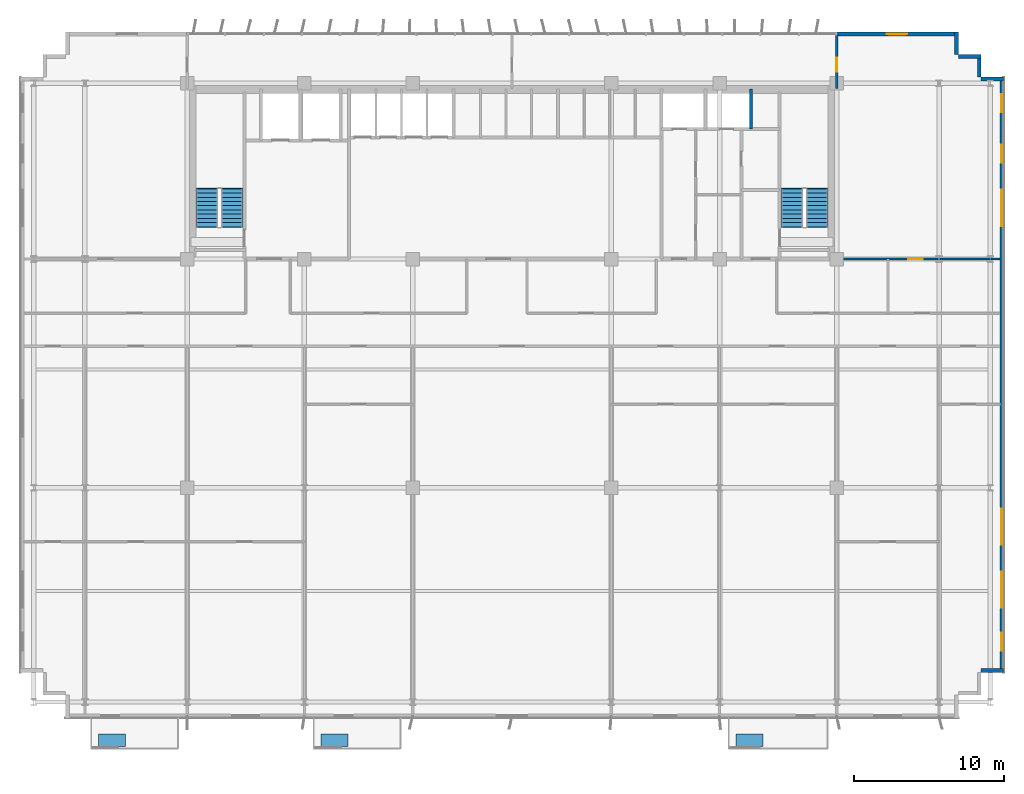
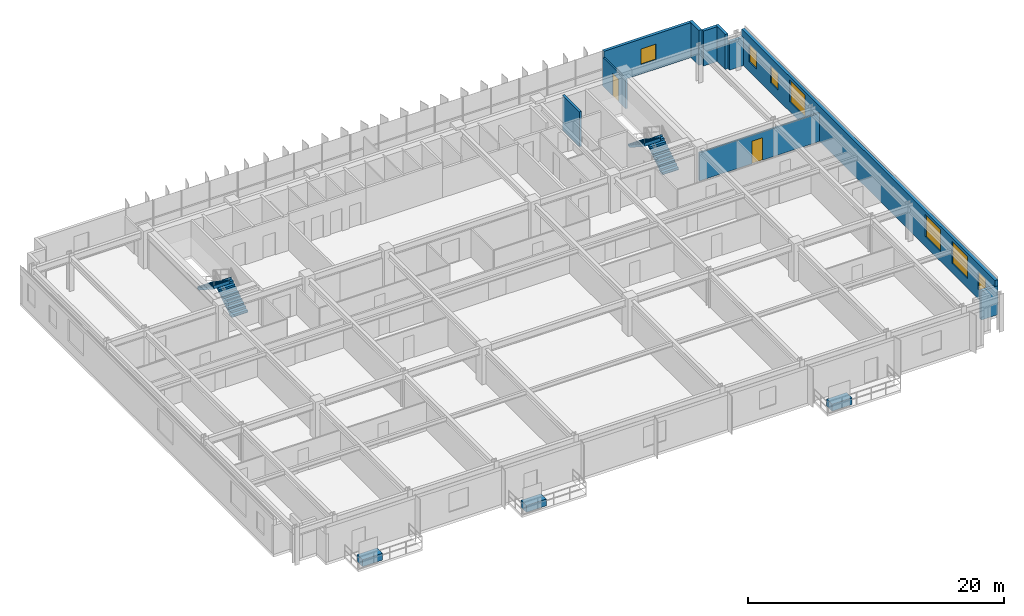
# One storey, part 18 of 21: 10 walls, 7 windows, 4 stair flights, 3 discrete accessories, 2 doors, 9 openings, 2 elements without a shape of their own.
"""IFC4 building model written with IfcOpenShell, lengths in metres."""

from ifc_helpers import new_model, si_unit, direction, frame, frame_2d, origin, origin_2d, place, context, subcontext, project, spatial, polyline, rectangle, outline, extrude, source, transform, mapped, material, layer, layer_set, type_object, element, fill, aggregate, save


model = new_model("IFC4")

# Units and contexts
model_context = context("Model", 3, precision=1e-05, world=origin(), true_north=direction((0.0, 1.0)))
body_context = subcontext(model_context, "Body", "Model", "MODEL_VIEW")
ifc_project = project(units=[si_unit("LENGTHUNIT", "METRE"), si_unit("AREAUNIT", "SQUARE_METRE"), si_unit("VOLUMEUNIT", "CUBIC_METRE"), si_unit("PLANEANGLEUNIT", "RADIAN"), si_unit("MASSUNIT", "GRAM", prefix="KILO")], contexts=[model_context])

# Site, building, storey
site_placement = place(None, origin())
site = spatial("IfcSite", under=ifc_project, at=site_placement, CompositionType="ELEMENT")
building_placement = place(site_placement, origin())
building = spatial("IfcBuilding", under=site, at=building_placement, Name="Trelvane Seafront Commons", CompositionType="ELEMENT")
storey_placement = place(building_placement, frame((0.0, 0.0, 37.89990234375)))
storey = spatial("IfcBuildingStorey", under=building, at=storey_placement, Name="L09", CompositionType="ELEMENT", Elevation=37.89990234375)

# Wall, opening, window
ifc_material_1 = material(Name="Precast concrete C40/50", Category="concrete")
ifc_layer_1 = layer(ifc_material_1, 0.260009765625, Name="ARCH-WALL-EXT260")
ifc_layer_set_1 = layer_set([ifc_layer_1], Name="Precast concrete C40/50")
wall_type_1 = type_object("IfcWallType", Name="ARCH-WALL-EXT260", PredefinedType="SOLIDWALL", material=ifc_layer_set_1)
wall_1_placement = place(storey_placement, frame((58.800048828125, 48.3701171875, 0.0), z_axis=(0.0, 0.0, 1.0), x_axis=(1.0, 0.0, 0.0)))
wall_1 = element("IfcWall", 1, at=wall_1_placement, inside=storey, type_object=wall_type_1, Name="EW-L09-NE-0130", PredefinedType="SOLIDWALL", context=body_context, shape_type="SweptSolid", body=[
    extrude(rectangle(XDim=8.0, YDim=0.260009765625, at=frame_2d((4.0, 0.0))), origin(), (0.0, 0.0, 1.0), 3.340087890625),
])
opening_1_placement = place(wall_1_placement, frame((3.324951171875, 0.0, 0.89990234375)))
opening_1 = element("IfcOpeningElement", 2, at=opening_1_placement, cuts=wall_1, Name="Opening W09", PredefinedType="OPENING", context=body_context, shape_type="SweptSolid", body=[
    extrude(rectangle(XDim=1.35009765625, YDim=1.5, at=frame_2d((0.675048828125, 0.75))), frame((0.0, 0.139892578125, 0.0), z_axis=(0.0, -1.0, 0.0), x_axis=(1.0, 0.0, 0.0)), (0.0, 0.0, 1.0), 0.280029296875),
])
ifc_material_2 = material(Name="Low-E coastal double glazing", Category="glass")
window_type_1 = type_object("IfcWindowType", Name="ARCH-WIN-W09", PartitioningType="SINGLE_PANEL", PredefinedType="WINDOW", material=ifc_material_2)
shared_shape_1 = source(origin(), body_context, "Body", "SweptSolid", [
    extrude(rectangle(XDim=1.35009765625, YDim=1.5, at=frame_2d((0.675048828125, 0.75))), frame((0.0, 0.030029296875, 0.0), z_axis=(0.0, -1.0, 0.0), x_axis=(1.0, 0.0, 0.0)), (0.0, 0.0, 1.0), 0.06005859375),
])
window_1_placement = place(opening_1_placement, origin())
window_1 = element("IfcWindow", 3, at=window_1_placement, inside=storey, type_object=window_type_1, Name="WIN-L09-00175", OverallHeight=1.5, OverallWidth=1.35009765625, PartitioningType="SINGLE_PANEL", PredefinedType="WINDOW", context=body_context, shape_type="MappedRepresentation", body=[
    mapped(shared_shape_1, transform((0.0, 0.0, 0.0), x_axis=(1.0, 0.0, 0.0), y_axis=(0.0, 1.0, 0.0), z_axis=(0.0, 0.0, 1.0), scale=1.0)),
])
fill(opening_1, window_1)

# Walls
for number, where, z_axis, x_axis, name in (
    (4, (66.77001953125, 48.5, 0.0), (0.0, 0.0, 1.0), (0.0, -1.0, 0.0), "EW-L09-00139"),
    (5, (66.89990234375, 46.8701171875, 0.0), (0.0, 0.0, 1.0), (1.0, 0.0, 0.0), "EW-L09-00140"),
    (6, (68.27001953125, 47.0, 0.0), (0.0, 0.0, 1.0), (0.0, -1.0, 0.0), "EW-L09-00141"),
):
    element("IfcWall", number, at=place(storey_placement, frame(where, z_axis=z_axis, x_axis=x_axis)), inside=storey, type_object=wall_type_1, Name=name, PredefinedType="SOLIDWALL", context=body_context, shape_type="SweptSolid", body=[
        extrude(rectangle(XDim=1.5, YDim=0.260009765625, at=frame_2d((0.75, 0.0))), origin(), (0.0, 0.0, 1.0), 3.340087890625),
    ])
wall_2_placement = place(storey_placement, frame((68.39990234375, 45.3701171875, 0.0), z_axis=(0.0, 0.0, 1.0), x_axis=(1.0, 0.0, 0.0)))
element("IfcWall", 7, at=wall_2_placement, inside=storey, type_object=wall_type_1, Name="EW-L09-00142", PredefinedType="SOLIDWALL", context=body_context, shape_type="SweptSolid", body=[
    extrude(rectangle(XDim=1.5, YDim=0.260009765625, at=frame_2d((0.75, 0.0))), origin(), (0.0, 0.0, 1.0), 2.690185546875),
])

# Wall, openings, windows
wall_3_placement = place(storey_placement, frame((69.77001953125, 45.5, 0.0), z_axis=(0.0, 0.0, 1.0), x_axis=(0.0, -1.0, 0.0)))
wall_3 = element("IfcWall", 8, at=wall_3_placement, inside=storey, type_object=wall_type_1, Name="EW-L09-00143", PredefinedType="SOLIDWALL", context=body_context, shape_type="SweptSolid", body=[
    extrude(rectangle(XDim=39.60009765625, YDim=0.260009765625, at=frame_2d((19.800048828125, 0.0))), origin(), (0.0, 0.0, 1.0), 3.340087890625),
])
opening_2_placement = place(wall_3_placement, frame((36.949951171875, 0.0, 0.919921875)))
opening_2 = element("IfcOpeningElement", 9, at=opening_2_placement, cuts=wall_3, Name="Opening W05", PredefinedType="OPENING", context=body_context, shape_type="SweptSolid", body=[
    extrude(rectangle(XDim=1.199951171875, YDim=1.64990234375, at=frame_2d((0.60009765625, 0.824951171875))), frame((0.0, 0.139892578125, 0.0), z_axis=(0.0, -1.0, 0.0), x_axis=(1.0, 0.0, 0.0)), (0.0, 0.0, 1.0), 0.280029296875),
])
opening_3_placement = place(wall_3_placement, frame((32.89990234375, 0.0, 0.919921875)))
opening_3 = element("IfcOpeningElement", 10, at=opening_3_placement, cuts=wall_3, Name="Opening W08", PredefinedType="OPENING", context=body_context, shape_type="SweptSolid", body=[
    extrude(rectangle(XDim=2.39990234375, YDim=2.10009765625, at=frame_2d((1.199951171875, 1.050048828125))), frame((0.0, 0.139892578125, 0.0), z_axis=(0.0, -1.0, 0.0), x_axis=(1.0, 0.0, 0.0)), (0.0, 0.0, 1.0), 0.280029296875),
])
opening_4_placement = place(wall_3_placement, frame((28.699951171875, 0.0, 0.919921875)))
opening_4 = element("IfcOpeningElement", 11, at=opening_4_placement, cuts=wall_3, Name="Opening W08", PredefinedType="OPENING", context=body_context, shape_type="SweptSolid", body=[
    extrude(rectangle(XDim=2.39990234375, YDim=2.10009765625, at=frame_2d((1.199951171875, 1.050048828125))), frame((0.0, 0.139892578125, 0.0), z_axis=(0.0, -1.0, 0.0), x_axis=(1.0, 0.0, 0.0)), (0.0, 0.0, 1.0), 0.280029296875),
])
opening_5_placement = place(wall_3_placement, frame((7.5, 0.0, 0.919921875)))
opening_5 = element("IfcOpeningElement", 12, at=opening_5_placement, cuts=wall_3, Name="Opening W08", PredefinedType="OPENING", context=body_context, shape_type="SweptSolid", body=[
    extrude(rectangle(XDim=2.39990234375, YDim=2.10009765625, at=frame_2d((1.199951171875, 1.050048828125))), frame((0.0, 0.139892578125, 0.0), z_axis=(0.0, -1.0, 0.0), x_axis=(1.0, 0.0, 0.0)), (0.0, 0.0, 1.0), 0.280029296875),
])
opening_6_placement = place(wall_3_placement, frame((4.5, 0.0, 0.919921875)))
opening_6 = element("IfcOpeningElement", 13, at=opening_6_placement, cuts=wall_3, Name="Opening W05", PredefinedType="OPENING", context=body_context, shape_type="SweptSolid", body=[
    extrude(rectangle(XDim=1.199951171875, YDim=1.64990234375, at=frame_2d((0.60009765625, 0.824951171875))), frame((0.0, 0.139892578125, 0.0), z_axis=(0.0, -1.0, 0.0), x_axis=(1.0, 0.0, 0.0)), (0.0, 0.0, 1.0), 0.280029296875),
])
opening_7_placement = place(wall_3_placement, frame((1.14990234375, 0.0, 0.919921875)))
opening_7 = element("IfcOpeningElement", 14, at=opening_7_placement, cuts=wall_3, Name="Opening W05", PredefinedType="OPENING", context=body_context, shape_type="SweptSolid", body=[
    extrude(rectangle(XDim=1.199951171875, YDim=1.64990234375, at=frame_2d((0.60009765625, 0.824951171875))), frame((0.0, 0.139892578125, 0.0), z_axis=(0.0, -1.0, 0.0), x_axis=(1.0, 0.0, 0.0)), (0.0, 0.0, 1.0), 0.280029296875),
])
window_type_2 = type_object("IfcWindowType", Name="ARCH-WIN-W08", PartitioningType="SINGLE_PANEL", PredefinedType="WINDOW", material=ifc_material_2)
shared_shape_2 = source(origin(), body_context, "Body", "SweptSolid", [
    extrude(rectangle(XDim=2.39990234375, YDim=2.10009765625, at=frame_2d((1.199951171875, 1.050048828125))), frame((0.0, 0.030029296875, 0.0), z_axis=(0.0, -1.0, 0.0), x_axis=(1.0, 0.0, 0.0)), (0.0, 0.0, 1.0), 0.06005859375),
])
window_2_placement = place(opening_3_placement, origin())
window_2 = element("IfcWindow", 15, at=window_2_placement, inside=storey, type_object=window_type_2, Name="WIN-L09-EW-00183", OverallHeight=2.10009765625, OverallWidth=2.39990234375, PartitioningType="SINGLE_PANEL", PredefinedType="WINDOW", context=body_context, shape_type="MappedRepresentation", body=[
    mapped(shared_shape_2, transform((0.0, 0.0, 0.0), x_axis=(1.0, 0.0, 0.0), y_axis=(0.0, 1.0, 0.0), z_axis=(0.0, 0.0, 1.0), scale=1.0)),
])
fill(opening_3, window_2)
window_3_placement = place(opening_4_placement, origin())
window_3 = element("IfcWindow", 16, at=window_3_placement, inside=storey, type_object=window_type_2, Name="WIN-L09-EW-00184", OverallHeight=2.10009765625, OverallWidth=2.39990234375, PartitioningType="SINGLE_PANEL", PredefinedType="WINDOW", context=body_context, shape_type="MappedRepresentation", body=[
    mapped(shared_shape_2, transform((0.0, 0.0, 0.0), x_axis=(1.0, 0.0, 0.0), y_axis=(0.0, 1.0, 0.0), z_axis=(0.0, 0.0, 1.0), scale=1.0)),
])
fill(opening_4, window_3)
window_4_placement = place(opening_5_placement, origin())
window_4 = element("IfcWindow", 17, at=window_4_placement, inside=storey, type_object=window_type_2, Name="WIN-L09-EW-00185", OverallHeight=2.10009765625, OverallWidth=2.39990234375, PartitioningType="SINGLE_PANEL", PredefinedType="WINDOW", context=body_context, shape_type="MappedRepresentation", body=[
    mapped(shared_shape_2, transform((0.0, 0.0, 0.0), x_axis=(1.0, 0.0, 0.0), y_axis=(0.0, 1.0, 0.0), z_axis=(0.0, 0.0, 1.0), scale=1.0)),
])
fill(opening_5, window_4)
window_type_3 = type_object("IfcWindowType", Name="ARCH-WIN-W05", PartitioningType="SINGLE_PANEL", PredefinedType="WINDOW", material=ifc_material_2)
shared_shape_3 = source(origin(), body_context, "Body", "SweptSolid", [
    extrude(rectangle(XDim=1.199951171875, YDim=1.64990234375, at=frame_2d((0.60009765625, 0.824951171875))), frame((0.0, 0.030029296875, 0.0), z_axis=(0.0, -1.0, 0.0), x_axis=(1.0, 0.0, 0.0)), (0.0, 0.0, 1.0), 0.06005859375),
])
window_5_placement = place(opening_2_placement, origin())
window_5 = element("IfcWindow", 18, at=window_5_placement, inside=storey, type_object=window_type_3, Name="WIN-L09-EW-00182", OverallHeight=1.64990234375, OverallWidth=1.199951171875, PartitioningType="SINGLE_PANEL", PredefinedType="WINDOW", context=body_context, shape_type="MappedRepresentation", body=[
    mapped(shared_shape_3, transform((0.0, 0.0, 0.0), x_axis=(1.0, 0.0, 0.0), y_axis=(0.0, 1.0, 0.0), z_axis=(0.0, 0.0, 1.0), scale=1.0)),
])
fill(opening_2, window_5)
window_6_placement = place(opening_6_placement, origin())
window_6 = element("IfcWindow", 19, at=window_6_placement, inside=storey, type_object=window_type_3, Name="WIN-L09-EW-00186", OverallHeight=1.64990234375, OverallWidth=1.199951171875, PartitioningType="SINGLE_PANEL", PredefinedType="WINDOW", context=body_context, shape_type="MappedRepresentation", body=[
    mapped(shared_shape_3, transform((0.0, 0.0, 0.0), x_axis=(1.0, 0.0, 0.0), y_axis=(0.0, 1.0, 0.0), z_axis=(0.0, 0.0, 1.0), scale=1.0)),
])
fill(opening_6, window_6)
window_7_placement = place(opening_7_placement, origin())
window_7 = element("IfcWindow", 20, at=window_7_placement, inside=storey, type_object=window_type_3, Name="WIN-L09-EW-00187", OverallHeight=1.64990234375, OverallWidth=1.199951171875, PartitioningType="SINGLE_PANEL", PredefinedType="WINDOW", context=body_context, shape_type="MappedRepresentation", body=[
    mapped(shared_shape_3, transform((0.0, 0.0, 0.0), x_axis=(1.0, 0.0, 0.0), y_axis=(0.0, 1.0, 0.0), z_axis=(0.0, 0.0, 1.0), scale=1.0)),
])
fill(opening_7, window_7)

# Wall
wall_4_placement = place(storey_placement, frame((69.89990234375, 6.030029296875, 0.0), z_axis=(0.0, 0.0, 1.0), x_axis=(-1.0, 0.0, 0.0)))
element("IfcWall", 21, at=wall_4_placement, inside=storey, type_object=wall_type_1, Name="EW-L09-00144", PredefinedType="SOLIDWALL", context=body_context, shape_type="SweptSolid", body=[
    extrude(rectangle(XDim=1.5, YDim=0.260009765625, at=frame_2d((0.75, 0.0))), origin(), (0.0, 0.0, 1.0), 2.752197265625),
])

# Wall, opening, door
ifc_material_3 = material(Name="Gypsum Drywall Acoustic Partition")
ifc_layer_2 = layer(ifc_material_3, 0.14990234375, Name="ARCH-WALL-PART150")
ifc_layer_set_2 = layer_set([ifc_layer_2], Name="Gypsum Drywall Acoustic Partition")
wall_type_2 = type_object("IfcWallType", Name="ARCH-WALL-PART150", PredefinedType="PARTITIONING", material=ifc_layer_set_2)
wall_5_placement = place(storey_placement, frame((58.800048828125, 33.39990234375, 0.0), z_axis=(0.0, 0.0, 1.0), x_axis=(1.0, 0.0, 0.0)))
wall_5 = element("IfcWall", 22, at=wall_5_placement, inside=storey, type_object=wall_type_2, Name="W-L09-NE-ENT-050", PredefinedType="PARTITIONING", context=body_context, shape_type="SweptSolid", body=[
    extrude(rectangle(XDim=10.849853515625, YDim=0.14990234375, at=frame_2d((5.4248046875, 0.0))), origin(), (0.0, 0.0, 1.0), 2.690185546875),
])
opening_8_placement = place(wall_5_placement, frame((4.760009765625, 0.0, 0.0)))
opening_8 = element("IfcOpeningElement", 23, at=opening_8_placement, cuts=wall_5, Name="Opening FD-L09-24", PredefinedType="OPENING", context=body_context, shape_type="SweptSolid", body=[
    extrude(rectangle(XDim=0.949951171875, YDim=2.14990234375, at=frame_2d((0.47509765625, 1.074951171875))), frame((0.0, 0.0849609375, 0.0), z_axis=(0.0, -1.0, 0.0), x_axis=(1.0, 0.0, 0.0)), (0.0, 0.0, 1.0), 0.169921875),
])
ifc_material_4 = material(Name="Powder-coated aluminium frame", Category="aluminium")
door_type = type_object("IfcDoorType", Name="ARCH-DR-FD60-950", OperationType="NOTDEFINED", PredefinedType="DOOR", material=ifc_material_4)
shared_shape_4 = source(origin(), body_context, "Body", "SweptSolid", [
    extrude(rectangle(XDim=0.949951171875, YDim=2.14990234375, at=frame_2d((0.47509765625, 1.074951171875))), frame((0.0, 0.02490234375, 0.0), z_axis=(0.0, -1.0, 0.0), x_axis=(1.0, 0.0, 0.0)), (0.0, 0.0, 1.0), 0.050048828125),
])
door_1_placement = place(opening_8_placement, origin())
door_1 = element("IfcDoor", 24, at=door_1_placement, inside=storey, type_object=door_type, Name="L09 NE Suite Entrance Door", OperationType="SINGLE_SWING_RIGHT", OverallHeight=2.14990234375, OverallWidth=0.949951171875, PredefinedType="DOOR", context=body_context, shape_type="MappedRepresentation", body=[
    mapped(shared_shape_4, transform((0.0, 0.0, 0.0), x_axis=(1.0, 0.0, 0.0), y_axis=(0.0, 1.0, 0.0), z_axis=(0.0, 0.0, 1.0), scale=1.0)),
])
fill(opening_8, door_1)

wall_6_placement = place(storey_placement, frame((58.800048828125, 44.75, 0.0), z_axis=(0.0, 0.0, 1.0), x_axis=(0.0, 1.0, 0.0)))
wall_6 = element("IfcWall", 25, at=wall_6_placement, inside=storey, type_object=wall_type_2, Name="W-L09-N-LINK-E-053", PredefinedType="PARTITIONING", context=body_context, shape_type="SweptSolid", body=[
    extrude(rectangle(XDim=3.610107421875, YDim=0.14990234375, at=frame_2d((1.80517578125, 0.0))), origin(), (0.0, 0.0, 1.0), 2.752197265625),
])
opening_9_placement = place(wall_6_placement, frame((1.10009765625, 0.0, 0.0)))
opening_9 = element("IfcOpeningElement", 26, at=opening_9_placement, cuts=wall_6, Name="Opening FD-L09-27", PredefinedType="OPENING", context=body_context, shape_type="SweptSolid", body=[
    extrude(rectangle(XDim=0.949951171875, YDim=2.14990234375, at=frame_2d((0.47509765625, 1.074951171875))), frame((0.0, 0.0849609375, 0.0), z_axis=(0.0, -1.0, 0.0), x_axis=(1.0, 0.0, 0.0)), (0.0, 0.0, 1.0), 0.169921875),
])
door_2_placement = place(opening_9_placement, origin())
door_2 = element("IfcDoor", 27, at=door_2_placement, inside=storey, type_object=door_type, Name="L09 Door 27", OperationType="SINGLE_SWING_LEFT", OverallHeight=2.14990234375, OverallWidth=0.949951171875, PredefinedType="DOOR", context=body_context, shape_type="MappedRepresentation", body=[
    mapped(shared_shape_4, transform((0.0, 0.0, 0.0), x_axis=(1.0, 0.0, 0.0), y_axis=(0.0, 1.0, 0.0), z_axis=(0.0, 0.0, 1.0), scale=1.0)),
])
fill(opening_9, door_2)

# Wall
ifc_material_5 = material(Name="Concrete C40/50", Category="concrete")
ifc_layer_3 = layer(ifc_material_5, 0.199951171875, Name="ARCH-WALL-SHAFT200")
ifc_layer_set_3 = layer_set([ifc_layer_3], Name="Concrete C40/50")
wall_type_3 = type_object("IfcWallType", Name="ARCH-WALL-SHAFT200", PredefinedType="SOLIDWALL", material=ifc_layer_set_3)
wall_7_placement = place(storey_placement, frame((53.10009765625, 42.050048828125, 0.0), z_axis=(0.0, 0.0, 1.0), x_axis=(0.0, 1.0, 0.0)))
element("IfcWall", 28, at=wall_7_placement, inside=storey, type_object=wall_type_3, Name="W-L09-RSR-E-032", PredefinedType="SOLIDWALL", context=body_context, shape_type="SweptSolid", body=[
    extrude(rectangle(XDim=2.64990234375, YDim=0.199951171875, at=frame_2d((1.324951171875, 0.0))), origin(), (0.0, 0.0, 1.0), 3.340087890625),
])

# Stair, stair flights
stair_type_1 = type_object("IfcStairType", Name="ARCH-STR-ST-1-R20-180", PredefinedType="HALF_TURN_STAIR", material=ifc_material_5)
stair_1_placement = place(storey_placement, origin())
stair_1 = element("IfcStair", 29, at=stair_1_placement, inside=storey, type_object=stair_type_1, Name="L09 West Protected Firefighting Exit Stair ST-1", PredefinedType="HALF_TURN_STAIR")
stair_flight_type_1 = type_object("IfcStairFlightType", Name="ARCH-FLG-ST-1-R20-180", PredefinedType="STRAIGHT", material=ifc_material_5)
shared_shape_5 = source(origin(), body_context, "Body", "SweptSolid", [
    extrude(outline(polyline([(-0.050048828125, -0.02001953125), (-0.050048828125, 0.0), (0.0, 0.0), (0.0, 0.179931640625), (0.280029296875, 0.179931640625), (0.280029296875, 0.360107421875), (0.56005859375, 0.360107421875), (0.56005859375, 0.5400390625), (0.840087890625, 0.5400390625), (0.840087890625, 0.719970703125), (1.1201171875, 0.719970703125), (1.1201171875, 0.89990234375), (1.39990234375, 0.89990234375), (1.39990234375, 1.080078125), (1.679931640625, 1.080078125), (1.679931640625, 1.260009765625), (1.9599609375, 1.260009765625), (1.9599609375, 1.43994140625), (2.239990234375, 1.43994140625), (2.239990234375, 1.6201171875), (2.52001953125, 1.6201171875), (2.52001953125, 1.800048828125), (2.570068359375, 1.800048828125), (2.570068359375, 1.650146484375), (2.52001953125, 1.44189453125), (0.277099609375, -0.02001953125), (-0.050048828125, -0.02001953125)])), frame((0.0, 0.72509765625, 0.0), z_axis=(0.0, -1.0, 0.0), x_axis=(1.0, 0.0, 0.0)), (0.0, 0.0, 1.0), 1.449951171875),
])
stair_flight_1_placement = place(storey_placement, frame((18.574951171875, 35.550048828125, 0.0), z_axis=(0.0, 0.0, 1.0), x_axis=(0.0, 1.0, 0.0)))
stair_flight_1 = element("IfcStairFlight", 30, at=stair_flight_1_placement, type_object=stair_flight_type_1, Name="ST-1 flight 1", NumberOfRisers=10, NumberOfTreads=9, PredefinedType="STRAIGHT", RiserHeight=0.18, TreadLength=0.28, context=body_context, shape_type="MappedRepresentation", body=[
    mapped(shared_shape_5, transform((0.0, 0.0, 0.0), x_axis=(1.0, 0.0, 0.0), y_axis=(0.0, 1.0, 0.0), z_axis=(0.0, 0.0, 1.0), scale=1.0)),
])
stair_flight_2_placement = place(storey_placement, frame((16.925048828125, 38.070068359375, 1.800048828125), z_axis=(0.0, 0.0, 1.0), x_axis=(0.0, -1.0, 0.0)))
stair_flight_2 = element("IfcStairFlight", 31, at=stair_flight_2_placement, type_object=stair_flight_type_1, Name="ST-1 flight 2", NumberOfRisers=10, NumberOfTreads=9, PredefinedType="STRAIGHT", RiserHeight=0.18, TreadLength=0.28, context=body_context, shape_type="MappedRepresentation", body=[
    mapped(shared_shape_5, transform((0.0, 0.0, 0.0), x_axis=(1.0, 0.0, 0.0), y_axis=(0.0, 1.0, 0.0), z_axis=(0.0, 0.0, 1.0), scale=1.0)),
])
aggregate(stair_1, [stair_flight_1, stair_flight_2])

stair_type_2 = type_object("IfcStairType", Name="ARCH-STR-ST-2-R20-180", PredefinedType="HALF_TURN_STAIR", material=ifc_material_5)
stair_2_placement = place(storey_placement, origin())
stair_2 = element("IfcStair", 32, at=stair_2_placement, inside=storey, type_object=stair_type_2, Name="L09 East Protected Firefighting Exit Stair ST-2", PredefinedType="HALF_TURN_STAIR")
stair_flight_type_2 = type_object("IfcStairFlightType", Name="ARCH-FLG-ST-2-R20-180", PredefinedType="STRAIGHT", material=ifc_material_5)
stair_flight_3_placement = place(storey_placement, frame((57.47509765625, 35.550048828125, 0.0), z_axis=(0.0, 0.0, 1.0), x_axis=(0.0, 1.0, 0.0)))
stair_flight_3 = element("IfcStairFlight", 33, at=stair_flight_3_placement, type_object=stair_flight_type_2, Name="ST-2 flight 1", NumberOfRisers=10, NumberOfTreads=9, PredefinedType="STRAIGHT", RiserHeight=0.18, TreadLength=0.28, context=body_context, shape_type="MappedRepresentation", body=[
    mapped(shared_shape_5, transform((0.0, 0.0, 0.0), x_axis=(1.0, 0.0, 0.0), y_axis=(0.0, 1.0, 0.0), z_axis=(0.0, 0.0, 1.0), scale=1.0)),
])
stair_flight_4_placement = place(storey_placement, frame((55.824951171875, 38.070068359375, 1.800048828125), z_axis=(0.0, 0.0, 1.0), x_axis=(0.0, -1.0, 0.0)))
stair_flight_4 = element("IfcStairFlight", 34, at=stair_flight_4_placement, type_object=stair_flight_type_2, Name="ST-2 flight 2", NumberOfRisers=10, NumberOfTreads=9, PredefinedType="STRAIGHT", RiserHeight=0.18, TreadLength=0.28, context=body_context, shape_type="MappedRepresentation", body=[
    mapped(shared_shape_5, transform((0.0, 0.0, 0.0), x_axis=(1.0, 0.0, 0.0), y_axis=(0.0, 1.0, 0.0), z_axis=(0.0, 0.0, 1.0), scale=1.0)),
])
aggregate(stair_2, [stair_flight_3, stair_flight_4])

# Discrete accessories
discrete_accessory_type = type_object("IfcDiscreteAccessoryType", Name="ARCH-ACC-PLANTER", PredefinedType="USERDEFINED", material=ifc_material_1)
shared_shape_6 = source(origin(), body_context, "Body", "SweptSolid", [
    extrude(rectangle(XDim=1.800048828125, YDim=0.85009765625, at=origin_2d()), origin(), (0.0, 0.0, 1.0), 0.64990234375),
])
for number, where, z_axis, x_axis, name in (
    (35, (10.60009765625, 1.39990234375, 0.000244140625), (0.0, 0.0, 1.0), (1.0, 0.0, 0.0), "PLN-L09-B0-011"),
    (36, (25.39990234375, 1.39990234375, 0.000244140625), (0.0, 0.0, 1.0), (1.0, 0.0, 0.0), "PLN-L09-B1-012"),
    (37, (53.0, 1.39990234375, 0.000244140625), (0.0, 0.0, 1.0), (1.0, 0.0, 0.0), "PLN-L09-B2-013"),
):
    element("IfcDiscreteAccessory", number, at=place(storey_placement, frame(where, z_axis=z_axis, x_axis=x_axis)), inside=storey, type_object=discrete_accessory_type, Name=name, ObjectType="BALCONY TREE PLANTER", PredefinedType="USERDEFINED", context=body_context, shape_type="MappedRepresentation", body=[
        mapped(shared_shape_6, transform((0.0, 0.0, 0.0), x_axis=(1.0, 0.0, 0.0), y_axis=(0.0, 1.0, 0.0), z_axis=(0.0, 0.0, 1.0), scale=1.0)),
    ])

save(model, "model.ifc")
